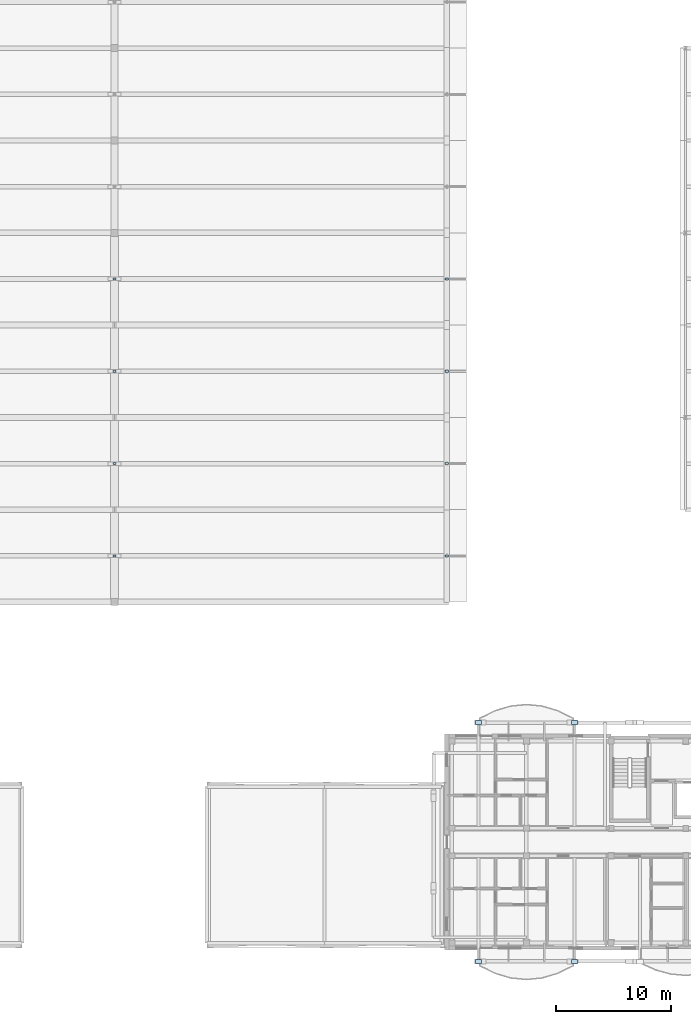
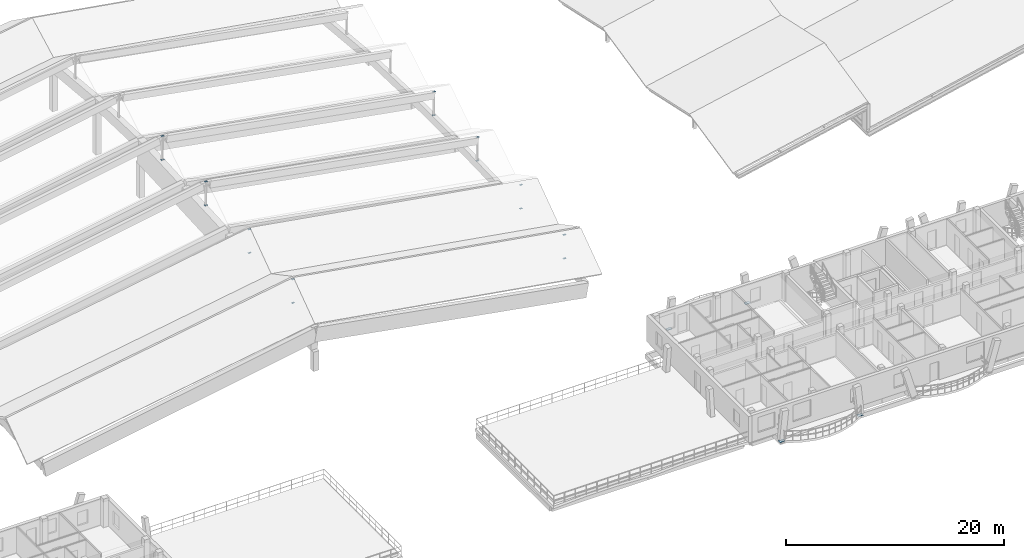
# One storey, part 58 of 109: 20 plates.
"""IFC4 building model written with IfcOpenShell, lengths in metres."""

import ifcopenshell
import ifcopenshell.guid

model = None  # the IFC model being written
_history = None  # IfcOwnerHistory: only IFC2X3 demands one
_inside = {}  # id of a spatial element -> (the spatial element, [elements in it])
_under = {}  # id of a project, library or spatial element -> (it, [spatial elements below it])
_declared = {}  # id of a project -> (the project, [libraries it declares])
_typed = {}  # id of a type object -> (the type object, [elements of that type])
_made_of = {}  # id of a material, layer set ... -> (it, [elements and type objects made of it])


def new_model(schema):
    """Start an empty IFC model of exactly this schema.

    Asked for "IFC4X3", IfcOpenShell would pick the latest addendum, in which some entities
    have other attributes; the version numbers below select the first issue.
    IFC2X3 requires an IfcOwnerHistory on every rooted entity: one is made here for all.
    """
    global model, _history
    if schema == "IFC4X3":
        model = ifcopenshell.file(schema_version=(4, 3, 0, 0))
    else:
        model = ifcopenshell.file(schema=schema)
    _inside.clear()
    _under.clear()
    _declared.clear()
    _typed.clear()
    _made_of.clear()
    _history = None
    if model.schema == "IFC2X3":
        org = make("IfcOrganization", Name="unknown")
        user = make(
            "IfcPersonAndOrganization",
            ThePerson=make("IfcPerson", FamilyName="unknown"),
            TheOrganization=org,
        )
        app = make(
            "IfcApplication",
            ApplicationDeveloper=org,
            Version="unknown",
            ApplicationFullName="unknown",
            ApplicationIdentifier="unknown",
        )
        _history = make(
            "IfcOwnerHistory",
            OwningUser=user,
            OwningApplication=app,
            ChangeAction="ADDED",
            CreationDate=0,
        )
    return model


def make(cls, **values):
    """One entity of the class cls with the attributes given. An attribute that is None is left unset."""
    return model.create_entity(
        cls, **{name: value for name, value in values.items() if value is not None}
    )


def rooted(cls, **values):
    """An entity with a GlobalId (a new one), such as an element, a storey or a relation."""
    return make(cls, GlobalId=ifcopenshell.guid.new(), OwnerHistory=_history, **values)


def si_unit(unit_type, name, prefix=None):
    """IfcSIUnit, for example si_unit("LENGTHUNIT", "METRE", prefix="MILLI")."""
    return make("IfcSIUnit", UnitType=unit_type, Prefix=prefix, Name=name)


def assignment(units):
    """IfcUnitAssignment: the units of a project."""
    return None if units is None else make("IfcUnitAssignment", Units=units)


def point(xyz):
    """IfcCartesianPoint."""
    return None if xyz is None else make("IfcCartesianPoint", Coordinates=xyz)


def direction(xyz):
    """IfcDirection."""
    return None if xyz is None else make("IfcDirection", DirectionRatios=xyz)


def frame(location, z_axis=None, x_axis=None):
    """IfcAxis2Placement3D, a coordinate frame: its origin and axes. An axis left out is left unset."""
    return make(
        "IfcAxis2Placement3D",
        Location=point(location),
        Axis=direction(z_axis),
        RefDirection=direction(x_axis),
    )


def frame_2d(location, x_axis=None):
    """IfcAxis2Placement2D, a coordinate frame in the plane: its origin and x axis."""
    return make(
        "IfcAxis2Placement2D", Location=point(location), RefDirection=direction(x_axis)
    )


def origin():
    """The frame at (0, 0, 0) with its axes left unset."""
    return frame((0.0, 0.0, 0.0))


def origin_2d():
    """The frame at (0, 0) in the plane with its x axis left unset."""
    return frame_2d((0.0, 0.0))


def place(relative_to, where):
    """IfcLocalPlacement: puts the frame where relative to a parent placement (None: the world)."""
    return make(
        "IfcLocalPlacement", PlacementRelTo=relative_to, RelativePlacement=where
    )


def context(
    kind, dimensions, precision=None, world=None, true_north=None, identifier=None
):
    """IfcGeometricRepresentationContext, for example the 3D "Model" context."""
    return make(
        "IfcGeometricRepresentationContext",
        ContextIdentifier=identifier,
        ContextType=kind,
        CoordinateSpaceDimension=dimensions,
        Precision=precision,
        WorldCoordinateSystem=world,
        TrueNorth=true_north,
    )


def subcontext(parent, identifier, kind, view, scale=None):
    """IfcGeometricRepresentationSubContext, for example "Body" below "Model"."""
    return make(
        "IfcGeometricRepresentationSubContext",
        ContextIdentifier=identifier,
        ContextType=kind,
        ParentContext=parent,
        TargetScale=scale,
        TargetView=view,
    )


def project(units=None, contexts=None):
    """IfcProject with its units and contexts."""
    return rooted(
        "IfcProject",
        Name="project",
        RepresentationContexts=contexts,
        UnitsInContext=assignment(units),
    )


def spatial(cls, under=None, at=None, **own):
    """A site, building, storey or space (cls), placed at a placement, below another one or the project."""
    s = rooted(cls, ObjectPlacement=at, **own)
    if under is not None:
        _under.setdefault(under.id(), (under, []))[1].append(s)
    return s


def profile(cls, at=None, kind="AREA", **sizes):
    """A parametric profile (cls). Its sizes go by their IFC names, for example OverallWidth=200.0."""
    return make(cls, ProfileType=kind, Position=at, **sizes)


def rectangle(**sizes):
    """IfcRectangleProfileDef."""
    return profile("IfcRectangleProfileDef", **sizes)


def extrude(swept, where, along, depth):
    """IfcExtrudedAreaSolid: the profile swept, set in the frame where, extruded along a direction by depth."""
    return make(
        "IfcExtrudedAreaSolid",
        SweptArea=swept,
        Position=where,
        ExtrudedDirection=direction(along),
        Depth=depth,
    )


def shape(context_of_items, identifier, shape_type, items):
    """IfcShapeRepresentation: the items that make up one representation, for example the "Body"."""
    return make(
        "IfcShapeRepresentation",
        ContextOfItems=context_of_items,
        RepresentationIdentifier=identifier,
        RepresentationType=shape_type,
        Items=items,
    )


def material(Name=None, Category=None):
    """IfcMaterial."""
    return make("IfcMaterial", Name=Name, Category=Category)


def layer(
    of_material, thickness, ventilated=None, Name=None, Category=None, Priority=None
):
    """IfcMaterialLayer: one layer of a wall or slab, of a material (None: an air gap)."""
    return make(
        "IfcMaterialLayer",
        Material=of_material,
        LayerThickness=thickness,
        IsVentilated=ventilated,
        Name=Name,
        Category=Category,
        Priority=Priority,
    )


def layer_set(layers, Name=None):
    """IfcMaterialLayerSet."""
    return make("IfcMaterialLayerSet", MaterialLayers=layers, LayerSetName=Name)


def made_of(thing, what):
    """Note that an element or type object is made of a material, layer set ...; save() writes the relation."""
    if what is not None:
        _made_of.setdefault(what.id(), (what, []))[1].append(thing)
    return thing


def type_object(cls, material=None, **own):
    """A type object (cls), such as IfcWallType, which elements share."""
    return made_of(rooted(cls, **own), material)


def element(
    cls,
    number,
    at=None,
    inside=None,
    cuts=None,
    type_object=None,
    material=None,
    context=None,
    identifier="Body",
    shape_type=None,
    held_by="IfcProductDefinitionShape",
    body=None,
    shapes=None,
    **own,
):
    """One element of the class cls, such as IfcWall. Its Tag is "e" and its number.

    at: its placement. inside: the storey or other place that contains it. cuts: it is an
    opening in that element (IfcRelVoidsElement). A single representation is given by context,
    identifier, shape_type and body (its items); several are given by shapes. held_by: the class
    of the entity that holds the representations. save() writes the other relations.
    """
    e = rooted(cls, Tag="e%d" % number, ObjectPlacement=at, **own)
    if body is not None:
        shapes = [shape(context, identifier, shape_type, body)]
    if shapes is not None:
        e.Representation = make(held_by, Representations=shapes)
    if inside is not None:
        _inside.setdefault(inside.id(), (inside, []))[1].append(e)
    if cuts is not None:
        rooted(
            "IfcRelVoidsElement", RelatingBuildingElement=cuts, RelatedOpeningElement=e
        )
    if type_object is not None:
        _typed.setdefault(type_object.id(), (type_object, []))[1].append(e)
    return made_of(e, material)


def aggregate(whole, parts):
    """IfcRelAggregates: a whole, such as a stair, and the parts it consists of."""
    return rooted("IfcRelAggregates", RelatingObject=whole, RelatedObjects=parts)


def save(model, path):
    """Write the relations noted so far, then the file.

    IfcRelAggregates (storeys below a building ...), IfcRelContainedInSpatialStructure (elements
    in a storey), IfcRelDefinesByType, IfcRelAssociatesMaterial and IfcRelDeclares: one each for
    every whole, place, type object, material and project.
    """
    for whole, parts in _under.values():
        aggregate(whole, parts)
    for where, things in _inside.values():
        rooted(
            "IfcRelContainedInSpatialStructure",
            RelatedElements=things,
            RelatingStructure=where,
        )
    for kind, things in _typed.values():
        rooted("IfcRelDefinesByType", RelatedObjects=things, RelatingType=kind)
    for what, things in _made_of.values():
        rooted("IfcRelAssociatesMaterial", RelatedObjects=things, RelatingMaterial=what)
    for by, libraries in _declared.values():
        rooted("IfcRelDeclares", RelatingContext=by, RelatedDefinitions=libraries)
    model.write(path)


model = new_model("IFC4")

# Units and contexts
model_context = context("Model", 3, precision=1e-05, world=origin(), true_north=direction((0.0, 1.0)))
body_context = subcontext(model_context, "Body", "Model", "MODEL_VIEW")
ifc_project = project(units=[si_unit("LENGTHUNIT", "METRE"), si_unit("AREAUNIT", "SQUARE_METRE"), si_unit("VOLUMEUNIT", "CUBIC_METRE"), si_unit("PLANEANGLEUNIT", "RADIAN"), si_unit("MASSUNIT", "GRAM", prefix="KILO")], contexts=[model_context])

# Site, building, storey
site_placement = place(None, origin())
site = spatial("IfcSite", under=ifc_project, at=site_placement, CompositionType="ELEMENT")
building_placement = place(site_placement, origin())
building = spatial("IfcBuilding", under=site, at=building_placement, Name="Zavelmont Quarter", CompositionType="ELEMENT")
storey_placement = place(building_placement, frame((0.0, 0.0, 8.0)))
storey = spatial("IfcBuildingStorey", under=building, at=storey_placement, Name="L02", CompositionType="ELEMENT", Elevation=8.0)

# Plates
ifc_material = material(Name="Steel S355", Category="steel")
ifc_layer_1 = layer(ifc_material, 0.02001953125)
ifc_layer_set_1 = layer_set([ifc_layer_1], Name="Steel S355")
plate_type_1 = type_object("IfcPlateType", Name="NP01", PredefinedType="SHEET", material=ifc_layer_set_1)
for number, where, z_axis, x_axis, name in (
    (1, (112.800048828125, 34.0, -0.080078125), (0.0, 0.0, 1.0), (1.0, 0.0, 0.0), "L02 steel connection plate NP01 at 17/F"),
    (2, (112.800048828125, 34.0, 2.570068359375), (0.0, 0.0, 1.0), (1.0, 0.0, 0.0), "L02 steel connection plate NP01 at 17/F"),
    (3, (84.0, 34.0, 5.02001953125), (0.0, 0.0, 1.0), (1.0, 0.0, 0.0), "L02 steel connection plate NP01 at 13/F"),
    (4, (84.0, 34.0, 7.669921875), (0.0, 0.0, 1.0), (1.0, 0.0, 0.0), "L02 steel connection plate NP01 at 13/F"),
    (5, (112.800048828125, 42.0, 0.669921875), (0.0, 0.0, 1.0), (1.0, 0.0, 0.0), "L02 steel connection plate NP01 at 17/G"),
    (6, (112.800048828125, 42.0, 3.320068359375), (0.0, 0.0, 1.0), (1.0, 0.0, 0.0), "L02 steel connection plate NP01 at 17/G"),
    (7, (84.0, 42.0, 5.77001953125), (0.0, 0.0, 1.0), (1.0, 0.0, 0.0), "L02 steel connection plate NP01 at 13/G"),
    (8, (84.0, 42.0, 8.419921875), (0.0, 0.0, 1.0), (1.0, 0.0, 0.0), "L02 steel connection plate NP01 at 13/G"),
    (9, (112.800048828125, 50.0, 1.169921875), (0.0, 0.0, 1.0), (1.0, 0.0, 0.0), "L02 steel connection plate NP01 at 17/H"),
    (10, (112.800048828125, 50.0, 3.820068359375), (0.0, 0.0, 1.0), (1.0, 0.0, 0.0), "L02 steel connection plate NP01 at 17/H"),
    (11, (84.0, 50.0, 6.27001953125), (0.0, 0.0, 1.0), (1.0, 0.0, 0.0), "L02 steel connection plate NP01 at 13/H"),
    (12, (84.0, 50.0, 8.919921875), (0.0, 0.0, 1.0), (1.0, 0.0, 0.0), "L02 steel connection plate NP01 at 13/H"),
    (13, (112.800048828125, 58.0, 1.419921875), (0.0, 0.0, 1.0), (1.0, 0.0, 0.0), "L02 steel connection plate NP01 at 17/J"),
    (14, (112.800048828125, 58.0, 4.070068359375), (0.0, 0.0, 1.0), (1.0, 0.0, 0.0), "L02 steel connection plate NP01 at 17/J"),
    (15, (84.0, 58.0, 6.52001953125), (0.0, 0.0, 1.0), (1.0, 0.0, 0.0), "L02 steel connection plate NP01 at 13/J"),
    (16, (84.0, 58.0, 9.169921875), (0.0, 0.0, 1.0), (1.0, 0.0, 0.0), "L02 steel connection plate NP01 at 13/J"),
):
    element("IfcPlate", number, at=place(storey_placement, frame(where, z_axis=z_axis, x_axis=x_axis)), inside=storey, type_object=plate_type_1, Name=name, PredefinedType="SHEET", context=body_context, shape_type="SweptSolid", body=[
        extrude(rectangle(XDim=0.280029296875, YDim=0.179931640625, at=origin_2d()), origin(), (0.0, 0.0, 1.0), 0.02001953125),
    ])
ifc_layer_2 = layer(ifc_material, 0.028076171875)
ifc_layer_set_2 = layer_set([ifc_layer_2], Name="Steel S355")
plate_type_2 = type_object("IfcPlateType", Name="NP04", PredefinedType="SHEET", material=ifc_layer_set_2)
for number, where, z_axis, x_axis, name in (
    (17, (115.5380859375, -1.162109375, -0.2138671875), (0.0, 0.0, 1.0), (1.0, 0.0, 0.0), "L02 steel connection plate NP04 at 17/A"),
    (18, (123.862060546875, -1.162109375, -0.2138671875), (0.0, 0.0, 1.0), (1.0, 0.0, 0.0), "L02 steel connection plate NP04 at 19/A"),
    (19, (115.5380859375, 19.56201171875, -0.2138671875), (0.0, 0.0, 1.0), (1.0, 0.0, 0.0), "L02 steel connection plate NP04 at 17/D"),
    (20, (123.862060546875, 19.56201171875, -0.2138671875), (0.0, 0.0, 1.0), (1.0, 0.0, 0.0), "L02 steel connection plate NP04 at 19/D"),
):
    element("IfcPlate", number, at=place(storey_placement, frame(where, z_axis=z_axis, x_axis=x_axis)), inside=storey, type_object=plate_type_2, Name=name, PredefinedType="SHEET", context=body_context, shape_type="SweptSolid", body=[
        extrude(rectangle(XDim=0.52001953125, YDim=0.360107421875, at=origin_2d()), origin(), (0.0, 0.0, 1.0), 0.028076171875),
    ])

save(model, "model.ifc")
